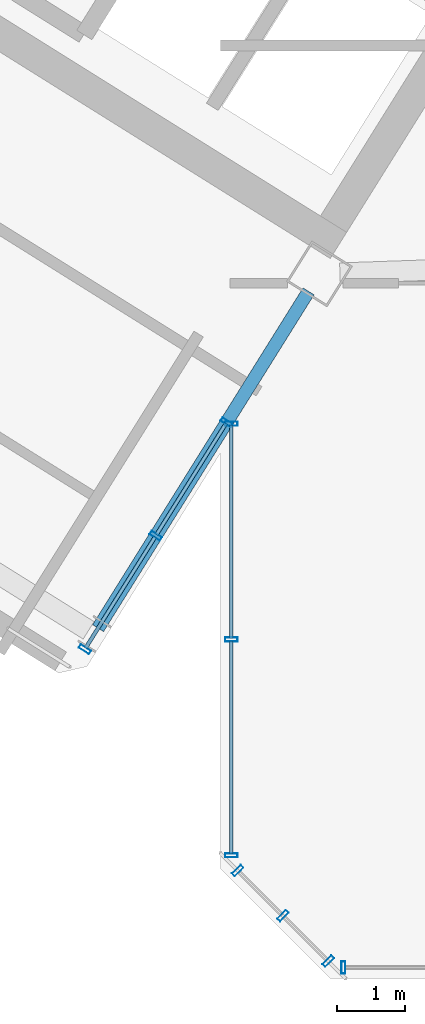
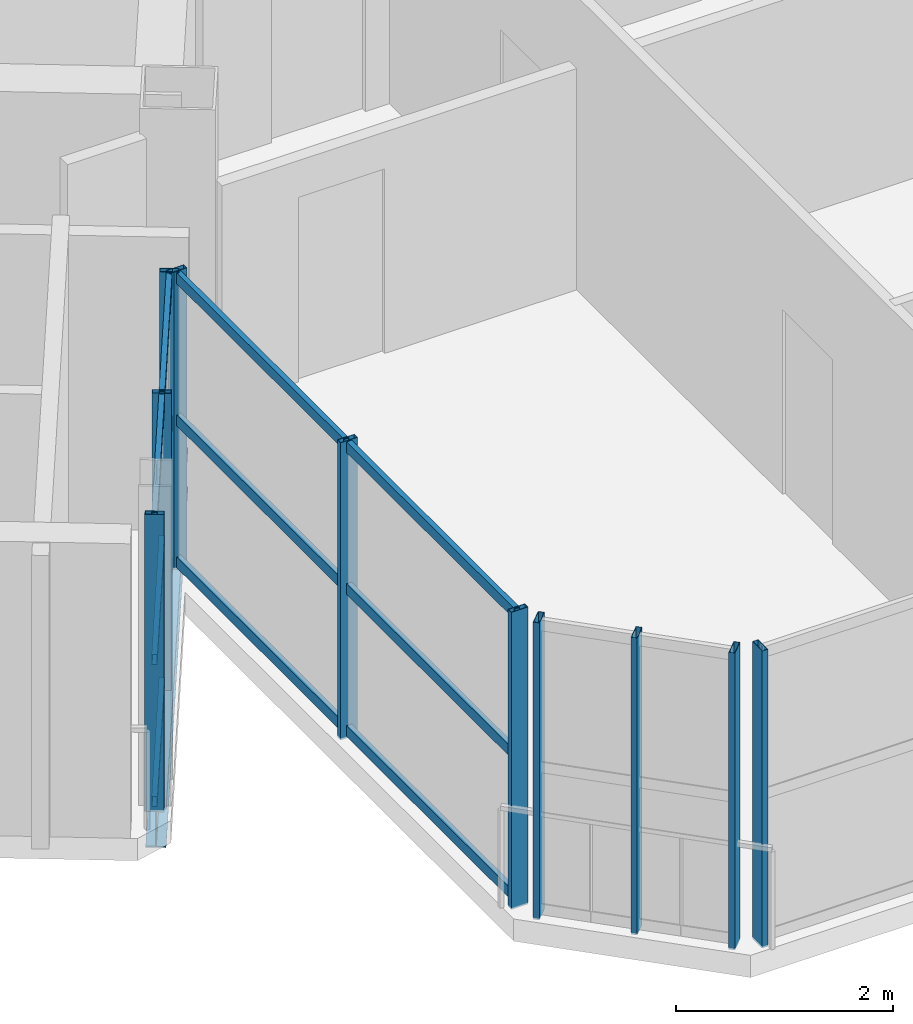
# One storey, part 6 of 25: 22 members, 1 beam, 4 elements without a shape of their own.
"""IFC4 building model written with IfcOpenShell, lengths in metres."""

from ifc_helpers import new_model, si_unit, direction, frame, origin, origin_2d, place, context, subcontext, project, spatial, hollow_rectangle, i_section, extrude, source, transform, mapped, material, material_profile, profile_set, type_object, element, aggregate, save


model = new_model("IFC4")

# Units and contexts
model_context = context("Model", 3, precision=1e-05, world=origin(), true_north=direction((0.0, 1.0)))
body_context = subcontext(model_context, "Body", "Model", "MODEL_VIEW")
ifc_project = project(units=[si_unit("LENGTHUNIT", "METRE"), si_unit("AREAUNIT", "SQUARE_METRE"), si_unit("VOLUMEUNIT", "CUBIC_METRE"), si_unit("PLANEANGLEUNIT", "RADIAN"), si_unit("MASSUNIT", "GRAM", prefix="KILO")], contexts=[model_context])

# Site, building, storey
site_placement = place(None, origin())
site = spatial("IfcSite", under=ifc_project, at=site_placement, CompositionType="ELEMENT")
building_placement = place(site_placement, origin())
building = spatial("IfcBuilding", under=site, at=building_placement, Name="Tlacorven Tower", CompositionType="ELEMENT")
storey_placement = place(building_placement, frame((0.0, 0.0, 251.10009765625)))
storey = spatial("IfcBuildingStorey", under=building, at=storey_placement, Name="L63", CompositionType="ELEMENT", Elevation=251.10009765625)

# Beam
ifc_material_1 = material(Name="Steel S355J2", Category="steel")
ifc_material_profile_1 = material_profile(ifc_material_1, i_section(OverallWidth=0.18994140625, OverallDepth=0.449951171875, WebThickness=0.009521484375, FlangeThickness=0.0146484375, at=origin_2d()), Name="IPE 450")
ifc_profile_set_1 = profile_set([ifc_material_profile_1], Name="Steel S355J2")
beam_type = type_object("IfcBeamType", Name="BM-TWR-450", PredefinedType="BEAM", material=ifc_profile_set_1)
shared_shape_1 = source(origin(), body_context, "Body", "SweptSolid", [
    extrude(i_section(OverallWidth=0.18994140625, OverallDepth=0.449951171875, WebThickness=0.009521484375, FlangeThickness=0.0146484375, at=origin_2d()), origin(), (0.0, 0.0, 1.0), 5.800048828125),
])
beam_placement = place(storey_placement, frame((32.88720703125, 11.83251953125, -0.47509765625), z_axis=(-0.529911912967, -0.848052689693, 0.0), x_axis=(0.848052689693, -0.529911912967, 0.0)))
element("IfcBeam", 1, at=beam_placement, inside=storey, type_object=beam_type, Name="L63 beam BM-L63-WT1-2", PredefinedType="BEAM", context=body_context, shape_type="MappedRepresentation", body=[
    mapped(shared_shape_1, transform((0.0, 0.0, 0.0), scale=1.0)),
])

# Curtain wall, members
ifc_material_2 = material(Name="Dark solar low-E double glazing in aluminium frame", Category="aluminium")
curtain_wall_type = type_object("IfcCurtainWallType", Name="CW-TWR-HIGH", PredefinedType="USERDEFINED", material=ifc_material_2)
curtain_wall_1_placement = place(storey_placement, origin())
curtain_wall_1 = element("IfcCurtainWall", 2, at=curtain_wall_1_placement, inside=storey, type_object=curtain_wall_type, Name="L63 CW-TWR-HIGH Curtain Wall 293", ObjectType="UNITISED CURTAIN WALL", PredefinedType="USERDEFINED")
ifc_material_3 = material(Name="Aluminium 6063-T6 anodised", Category="aluminium")
ifc_material_profile_2 = material_profile(ifc_material_3, hollow_rectangle(XDim=0.054931640625, YDim=0.1201171875, WallThickness=0.00341796875, at=origin_2d()), Name="ALU TRANSOM 55X120")
ifc_profile_set_2 = profile_set([ifc_material_profile_2], Name="Aluminium 6063-T6 anodised")
member_type_1 = type_object("IfcMemberType", Name="CWT-03", PredefinedType="USERDEFINED", material=ifc_profile_set_2)
shared_shape_2 = source(origin(), body_context, "Body", "SweptSolid", [
    extrude(hollow_rectangle(XDim=0.054931640625, YDim=0.1201171875, WallThickness=0.00341796875, at=origin_2d()), origin(), (0.0, 0.0, 1.0), 3.115234375),
])
member_1_placement = place(storey_placement, frame((31.760009765625, 3.6142578125, 0.059814453125), z_axis=(0.0, 1.0, 0.0), x_axis=(-1.0, 0.0, 0.0)))
member_1 = element("IfcMember", 3, at=member_1_placement, type_object=member_type_1, Name="CW-L63-293 Transom 1", ObjectType="TRANSOM", PredefinedType="USERDEFINED", context=body_context, shape_type="MappedRepresentation", body=[
    mapped(shared_shape_2, transform((0.0, 0.0, 0.0), scale=1.0)),
])
member_2_placement = place(storey_placement, frame((31.760009765625, 3.6142578125, 1.659912109375), z_axis=(0.0, 1.0, 0.0), x_axis=(-1.0, 0.0, 0.0)))
member_2 = element("IfcMember", 4, at=member_2_placement, type_object=member_type_1, Name="CW-L63-293 Transom 2", ObjectType="TRANSOM", PredefinedType="USERDEFINED", context=body_context, shape_type="MappedRepresentation", body=[
    mapped(shared_shape_2, transform((0.0, 0.0, 0.0), scale=1.0)),
])
member_3_placement = place(storey_placement, frame((31.760009765625, 3.6142578125, 3.260009765625), z_axis=(0.0, 1.0, 0.0), x_axis=(-1.0, 0.0, 0.0)))
member_3 = element("IfcMember", 5, at=member_3_placement, type_object=member_type_1, Name="CW-L63-293 Transom 3", ObjectType="TRANSOM", PredefinedType="USERDEFINED", context=body_context, shape_type="MappedRepresentation", body=[
    mapped(shared_shape_2, transform((0.0, 0.0, 0.0), scale=1.0)),
])
member_4_placement = place(storey_placement, frame((31.760009765625, 6.765380859375, 0.059814453125), z_axis=(0.0, 1.0, 0.0), x_axis=(-1.0, 0.0, 0.0)))
member_4 = element("IfcMember", 6, at=member_4_placement, type_object=member_type_1, Name="CW-L63-293 Transom 4", ObjectType="TRANSOM", PredefinedType="USERDEFINED", context=body_context, shape_type="MappedRepresentation", body=[
    mapped(shared_shape_2, transform((0.0, 0.0, 0.0), scale=1.0)),
])
member_5_placement = place(storey_placement, frame((31.760009765625, 6.765380859375, 1.659912109375), z_axis=(0.0, 1.0, 0.0), x_axis=(-1.0, 0.0, 0.0)))
member_5 = element("IfcMember", 7, at=member_5_placement, type_object=member_type_1, Name="CW-L63-293 Transom 5", ObjectType="TRANSOM", PredefinedType="USERDEFINED", context=body_context, shape_type="MappedRepresentation", body=[
    mapped(shared_shape_2, transform((0.0, 0.0, 0.0), scale=1.0)),
])
member_6_placement = place(storey_placement, frame((31.760009765625, 6.765380859375, 3.260009765625), z_axis=(0.0, 1.0, 0.0), x_axis=(-1.0, 0.0, 0.0)))
member_6 = element("IfcMember", 8, at=member_6_placement, type_object=member_type_1, Name="CW-L63-293 Transom 6", ObjectType="TRANSOM", PredefinedType="USERDEFINED", context=body_context, shape_type="MappedRepresentation", body=[
    mapped(shared_shape_2, transform((0.0, 0.0, 0.0), scale=1.0)),
])

curtain_wall_2_placement = place(storey_placement, origin())
curtain_wall_2 = element("IfcCurtainWall", 9, at=curtain_wall_2_placement, inside=storey, type_object=curtain_wall_type, Name="L63 CW-TWR-HIGH Curtain Wall 294", ObjectType="UNITISED CURTAIN WALL", PredefinedType="USERDEFINED")
shared_shape_3 = source(origin(), body_context, "Body", "SweptSolid", [
    extrude(hollow_rectangle(XDim=0.054931640625, YDim=0.1201171875, WallThickness=0.00341796875, at=origin_2d()), origin(), (0.0, 0.0, 1.0), 1.91748046875),
])
member_7_placement = place(storey_placement, frame((31.681640625, 9.903076171875, 0.059814453125), z_axis=(-0.529953157166, -0.84802691656, 0.0), x_axis=(0.84802691656, -0.529953157166, 0.0)))
member_7 = element("IfcMember", 10, at=member_7_placement, type_object=member_type_1, Name="CW-L63-294 Transom 1", ObjectType="TRANSOM", PredefinedType="USERDEFINED", context=body_context, shape_type="MappedRepresentation", body=[
    mapped(shared_shape_3, transform((0.0, 0.0, 0.0), scale=1.0)),
])
member_8_placement = place(storey_placement, frame((31.681640625, 9.903076171875, 1.659912109375), z_axis=(-0.529953157166, -0.84802691656, 0.0), x_axis=(0.84802691656, -0.529953157166, 0.0)))
member_8 = element("IfcMember", 11, at=member_8_placement, type_object=member_type_1, Name="CW-L63-294 Transom 2", ObjectType="TRANSOM", PredefinedType="USERDEFINED", context=body_context, shape_type="MappedRepresentation", body=[
    mapped(shared_shape_3, transform((0.0, 0.0, 0.0), scale=1.0)),
])
member_9_placement = place(storey_placement, frame((31.681640625, 9.903076171875, 3.260009765625), z_axis=(-0.529953157166, -0.84802691656, 0.0), x_axis=(0.84802691656, -0.529953157166, 0.0)))
member_9 = element("IfcMember", 12, at=member_9_placement, type_object=member_type_1, Name="CW-L63-294 Transom 3", ObjectType="TRANSOM", PredefinedType="USERDEFINED", context=body_context, shape_type="MappedRepresentation", body=[
    mapped(shared_shape_3, transform((0.0, 0.0, 0.0), scale=1.0)),
])
member_10_placement = place(storey_placement, frame((30.646484375, 8.24658203125, 0.059814453125), z_axis=(-0.529953157166, -0.84802691656, 0.0), x_axis=(0.84802691656, -0.529953157166, 0.0)))
member_10 = element("IfcMember", 13, at=member_10_placement, type_object=member_type_1, Name="CW-L63-294 Transom 4", ObjectType="TRANSOM", PredefinedType="USERDEFINED", context=body_context, shape_type="MappedRepresentation", body=[
    mapped(shared_shape_3, transform((0.0, 0.0, 0.0), scale=1.0)),
])
member_11_placement = place(storey_placement, frame((30.646484375, 8.24658203125, 1.659912109375), z_axis=(-0.529953157166, -0.84802691656, 0.0), x_axis=(0.84802691656, -0.529953157166, 0.0)))
member_11 = element("IfcMember", 14, at=member_11_placement, type_object=member_type_1, Name="CW-L63-294 Transom 5", ObjectType="TRANSOM", PredefinedType="USERDEFINED", context=body_context, shape_type="MappedRepresentation", body=[
    mapped(shared_shape_3, transform((0.0, 0.0, 0.0), scale=1.0)),
])
member_12_placement = place(storey_placement, frame((30.646484375, 8.24658203125, 3.260009765625), z_axis=(-0.529953157166, -0.84802691656, 0.0), x_axis=(0.84802691656, -0.529953157166, 0.0)))
member_12 = element("IfcMember", 15, at=member_12_placement, type_object=member_type_1, Name="CW-L63-294 Transom 6", ObjectType="TRANSOM", PredefinedType="USERDEFINED", context=body_context, shape_type="MappedRepresentation", body=[
    mapped(shared_shape_3, transform((0.0, 0.0, 0.0), scale=1.0)),
])

# Curtain wall, member
curtain_wall_3_placement = place(storey_placement, origin())
curtain_wall_3 = element("IfcCurtainWall", 16, at=curtain_wall_3_placement, inside=storey, type_object=curtain_wall_type, Name="L63 CW-TWR-HIGH Curtain Wall 291", ObjectType="UNITISED CURTAIN WALL", PredefinedType="USERDEFINED")
ifc_material_profile_3 = material_profile(ifc_material_3, hollow_rectangle(XDim=0.06005859375, YDim=0.179931640625, WallThickness=0.00390625, at=origin_2d()), Name="ALU MULLION 60X180")
ifc_profile_set_3 = profile_set([ifc_material_profile_3], Name="Aluminium 6063-T6 anodised")
member_type_2 = type_object("IfcMemberType", Name="CWM-03", PredefinedType="MULLION", material=ifc_profile_set_3)
shared_shape_4 = source(origin(), body_context, "Body", "SweptSolid", [
    extrude(hollow_rectangle(XDim=0.06005859375, YDim=0.179931640625, WallThickness=0.00390625, at=origin_2d()), origin(), (0.0, 0.0, 1.0), 3.349853515625),
])
member_13_placement = place(storey_placement, frame((33.396240234375, 1.9599609375, -0.02001953125), z_axis=(0.0, 0.0, 1.0), x_axis=(-1.0, 0.0, 0.0)))
member_13 = element("IfcMember", 17, at=member_13_placement, type_object=member_type_2, Name="CW-L63-291 Mullion 4", PredefinedType="MULLION", context=body_context, shape_type="MappedRepresentation", body=[
    mapped(shared_shape_4, transform((0.0, 0.0, 0.0), scale=1.0)),
])
aggregate(curtain_wall_3, [member_13])

# Curtain wall, members
curtain_wall_4_placement = place(storey_placement, origin())
curtain_wall_4 = element("IfcCurtainWall", 18, at=curtain_wall_4_placement, inside=storey, type_object=curtain_wall_type, Name="L63 CW-TWR-HIGH Curtain Wall 292", ObjectType="UNITISED CURTAIN WALL", PredefinedType="USERDEFINED")
member_14_placement = place(storey_placement, frame((33.17431640625, 2.052001953125, -0.02001953125), z_axis=(0.0, 0.0, 1.0), x_axis=(-0.707106781187, 0.707106781187, 0.0)))
member_14 = element("IfcMember", 19, at=member_14_placement, type_object=member_type_2, Name="CW-L63-292 Mullion 1", PredefinedType="MULLION", context=body_context, shape_type="MappedRepresentation", body=[
    mapped(shared_shape_4, transform((0.0, 0.0, 0.0), scale=1.0)),
])
member_15_placement = place(storey_placement, frame((32.51318359375, 2.713134765625, -0.02001953125), z_axis=(0.0, 0.0, 1.0), x_axis=(-0.707106781187, 0.707106781187, 0.0)))
member_15 = element("IfcMember", 20, at=member_15_placement, type_object=member_type_2, Name="CW-L63-292 Mullion 2", PredefinedType="MULLION", context=body_context, shape_type="MappedRepresentation", body=[
    mapped(shared_shape_4, transform((0.0, 0.0, 0.0), scale=1.0)),
])
member_16_placement = place(storey_placement, frame((31.851806640625, 3.374267578125, -0.02001953125), z_axis=(0.0, 0.0, 1.0), x_axis=(-0.707106781187, 0.707106781187, 0.0)))
member_16 = element("IfcMember", 21, at=member_16_placement, type_object=member_type_2, Name="CW-L63-292 Mullion 3", PredefinedType="MULLION", context=body_context, shape_type="MappedRepresentation", body=[
    mapped(shared_shape_4, transform((0.0, 0.0, 0.0), scale=1.0)),
])
aggregate(curtain_wall_4, [member_14, member_15, member_16])

# Member
member_17_placement = place(storey_placement, frame((31.760009765625, 3.59619140625, -0.02001953125), z_axis=(0.0, 0.0, 1.0), x_axis=(0.0, 1.0, 0.0)))
member_17 = element("IfcMember", 22, at=member_17_placement, type_object=member_type_2, Name="CW-L63-293 Mullion 1", PredefinedType="MULLION", context=body_context, shape_type="MappedRepresentation", body=[
    mapped(shared_shape_4, transform((0.0, 0.0, 0.0), scale=1.0)),
])

member_18_placement = place(storey_placement, frame((31.760009765625, 6.74755859375, -0.02001953125), z_axis=(0.0, 0.0, 1.0), x_axis=(0.0, 1.0, 0.0)))
member_18 = element("IfcMember", 23, at=member_18_placement, type_object=member_type_2, Name="CW-L63-293 Mullion 2", PredefinedType="MULLION", context=body_context, shape_type="MappedRepresentation", body=[
    mapped(shared_shape_4, transform((0.0, 0.0, 0.0), scale=1.0)),
])

member_19_placement = place(storey_placement, frame((31.760009765625, 9.898681640625, -0.02001953125), z_axis=(0.0, 0.0, 1.0), x_axis=(0.0, 1.0, 0.0)))
member_19 = element("IfcMember", 24, at=member_19_placement, type_object=member_type_2, Name="CW-L63-293 Mullion 3", PredefinedType="MULLION", context=body_context, shape_type="MappedRepresentation", body=[
    mapped(shared_shape_4, transform((0.0, 0.0, 0.0), scale=1.0)),
])

aggregate(curtain_wall_1, [member_17, member_18, member_19, member_1, member_2, member_3, member_4, member_5, member_6])

member_20_placement = place(storey_placement, frame((31.691162109375, 9.91845703125, -0.02001953125), z_axis=(0.0, 0.0, 1.0), x_axis=(-0.529918710919, -0.848048441905, 0.0)))
member_20 = element("IfcMember", 25, at=member_20_placement, type_object=member_type_2, Name="CW-L63-294 Mullion 1", PredefinedType="MULLION", context=body_context, shape_type="MappedRepresentation", body=[
    mapped(shared_shape_4, transform((0.0, 0.0, 0.0), scale=1.0)),
])

member_21_placement = place(storey_placement, frame((30.656005859375, 8.261962890625, -0.02001953125), z_axis=(0.0, 0.0, 1.0), x_axis=(-0.529918710919, -0.848048441905, 0.0)))
member_21 = element("IfcMember", 26, at=member_21_placement, type_object=member_type_2, Name="CW-L63-294 Mullion 2", PredefinedType="MULLION", context=body_context, shape_type="MappedRepresentation", body=[
    mapped(shared_shape_4, transform((0.0, 0.0, 0.0), scale=1.0)),
])

member_22_placement = place(storey_placement, frame((29.620849609375, 6.605224609375, -0.02001953125), z_axis=(0.0, 0.0, 1.0), x_axis=(-0.529918710919, -0.848048441905, 0.0)))
member_22 = element("IfcMember", 27, at=member_22_placement, type_object=member_type_2, Name="CW-L63-294 Mullion 3", PredefinedType="MULLION", context=body_context, shape_type="MappedRepresentation", body=[
    mapped(shared_shape_4, transform((0.0, 0.0, 0.0), scale=1.0)),
])

aggregate(curtain_wall_2, [member_20, member_21, member_22, member_7, member_8, member_9, member_10, member_11, member_12])

save(model, "model.ifc")
